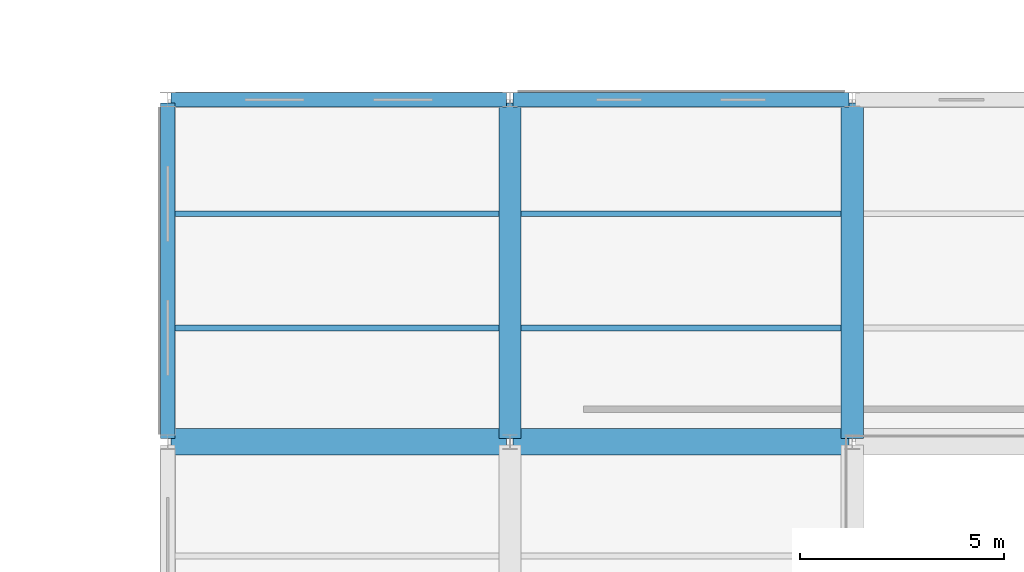
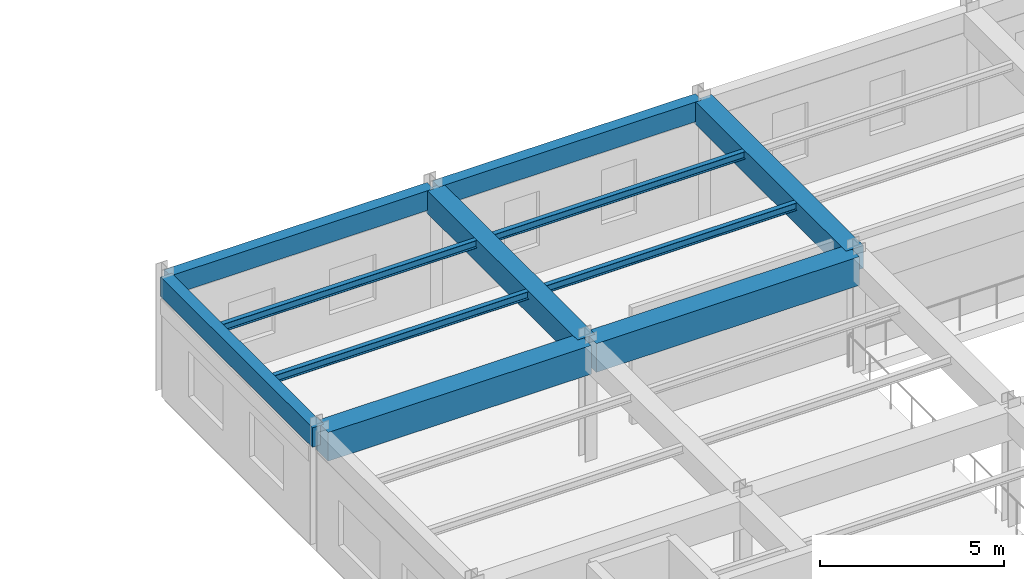
# One storey, part 29 of 138: 11 beams.
"""IFC4 building model written with IfcOpenShell, lengths in metres."""

from ifc_helpers import new_model, si_unit, direction, frame, origin, origin_2d, place, context, subcontext, project, spatial, rectangle, i_section, extrude, material, material_profile, profile_set, type_object, element, save


model = new_model("IFC4")

# Units and contexts
model_context = context("Model", 3, precision=1e-05, world=origin(), true_north=direction((0.0, 1.0)))
body_context = subcontext(model_context, "Body", "Model", "MODEL_VIEW")
ifc_project = project(units=[si_unit("LENGTHUNIT", "METRE"), si_unit("AREAUNIT", "SQUARE_METRE"), si_unit("VOLUMEUNIT", "CUBIC_METRE"), si_unit("PLANEANGLEUNIT", "RADIAN"), si_unit("MASSUNIT", "GRAM", prefix="KILO"), si_unit("THERMODYNAMICTEMPERATUREUNIT", "KELVIN"), si_unit("POWERUNIT", "WATT")], contexts=[model_context])

# Site, building, storey
site_placement = place(None, origin())
site = spatial("IfcSite", under=ifc_project, at=site_placement, CompositionType="ELEMENT")
building_placement = place(site_placement, origin())
building = spatial("IfcBuilding", under=site, at=building_placement, Name="Darbajah Civic Hall", CompositionType="ELEMENT")
storey_placement = place(building_placement, frame((0.0, 0.0, 9.60009765625)))
storey = spatial("IfcBuildingStorey", under=building, at=storey_placement, Name="L02", CompositionType="ELEMENT", Elevation=9.60009765625)

# Beams
ifc_material_1 = material(Name="Concrete C45/55", Category="concrete")
ifc_material_profile_1 = material_profile(ifc_material_1, rectangle(XDim=0.550048828125, YDim=0.75, at=origin_2d()), Name="RC BEAM 550x750")
ifc_profile_set_1 = profile_set([ifc_material_profile_1], Name="Concrete C45/55")
beam_type_1 = type_object("IfcBeamType", Name="RC BEAM 550x750", PredefinedType="BEAM", material=ifc_profile_set_1)
for number, where, z_axis, x_axis, name in (
    (1, (119.39990234375, 33.679931640625, 3.544921875), (0.0, 1.0, 0.0), (-1.0, 0.0, 0.0), "L02 beam BM-5575"),
    (2, (127.800048828125, 33.679931640625, 3.544921875), (0.0, 1.0, 0.0), (-1.0, 0.0, 0.0), "L02 beam BM-5575"),
):
    element("IfcBeam", number, at=place(storey_placement, frame(where, z_axis=z_axis, x_axis=x_axis)), inside=storey, type_object=beam_type_1, Name=name, PredefinedType="BEAM", context=body_context, shape_type="SweptSolid", body=[
        extrude(rectangle(XDim=0.550048828125, YDim=0.75, at=origin_2d()), origin(), (0.0, 0.0, 1.0), 8.239990234375),
    ])
ifc_material_2 = material(Name="Concrete C50/60", Category="concrete")
ifc_material_profile_2 = material_profile(ifc_material_2, rectangle(XDim=0.64990234375, YDim=0.949951171875, at=origin_2d()), Name="RC GIRDER 650x950")
ifc_profile_set_2 = profile_set([ifc_material_profile_2], Name="Concrete C50/60")
beam_type_2 = type_object("IfcBeamType", Name="RC GIRDER 650x950", PredefinedType="BEAM", material=ifc_profile_set_2)
for number, where, z_axis, x_axis, name in (
    (3, (111.080078125, 33.60009765625, 3.44482421875), (1.0, 0.0, 0.0), (0.0, 1.0, 0.0), "L02 beam BG-6595"),
    (4, (119.47998046875, 33.60009765625, 3.44482421875), (1.0, 0.0, 0.0), (0.0, 1.0, 0.0), "L02 beam BG-6595"),
):
    element("IfcBeam", number, at=place(storey_placement, frame(where, z_axis=z_axis, x_axis=x_axis)), inside=storey, type_object=beam_type_2, Name=name, PredefinedType="BEAM", context=body_context, shape_type="SweptSolid", body=[
        extrude(rectangle(XDim=0.64990234375, YDim=0.949951171875, at=origin_2d()), origin(), (0.0, 0.0, 1.0), 8.239990234375),
    ])
ifc_material_profile_3 = material_profile(ifc_material_1, rectangle(XDim=0.35009765625, YDim=0.64990234375, at=origin_2d()), Name="RC SPANDREL 350x650")
ifc_profile_set_3 = profile_set([ifc_material_profile_3], Name="Concrete C45/55")
beam_type_3 = type_object("IfcBeamType", Name="RC SPANDREL 350x650", PredefinedType="SPANDREL", material=ifc_profile_set_3)
for number, where, z_axis, x_axis, name in (
    (5, (111.080078125, 42.0, 3.594970703125), (1.0, 0.0, 0.0), (0.0, 1.0, 0.0), "L02 beam SP-3565"),
    (6, (119.47998046875, 42.0, 3.594970703125), (1.0, 0.0, 0.0), (0.0, 1.0, 0.0), "L02 beam SP-3565"),
    (7, (111.0, 33.679931640625, 3.594970703125), (0.0, 1.0, 0.0), (-1.0, 0.0, 0.0), "L02 beam SP-3565"),
):
    element("IfcBeam", number, at=place(storey_placement, frame(where, z_axis=z_axis, x_axis=x_axis)), inside=storey, type_object=beam_type_3, Name=name, PredefinedType="SPANDREL", context=body_context, shape_type="SweptSolid", body=[
        extrude(rectangle(XDim=0.35009765625, YDim=0.64990234375, at=origin_2d()), origin(), (0.0, 0.0, 1.0), 8.239990234375),
    ])
ifc_material_3 = material(Name="Steel S355JR", Category="steel")
ifc_material_profile_4 = material_profile(ifc_material_3, i_section(OverallWidth=0.146484375, OverallDepth=0.256103515625, WebThickness=0.00634765625, FlangeThickness=0.010986328125, FilletRadius=0.007568359375, at=origin_2d()), Name="UB 254x146x37")
ifc_profile_set_4 = profile_set([ifc_material_profile_4], Name="Steel S355JR")
beam_type_4 = type_object("IfcBeamType", Name="UB 254x146x37", PredefinedType="JOIST", material=ifc_profile_set_4)
for number, where, z_axis, x_axis, name in (
    (8, (111.175048828125, 36.39990234375, 3.7919921875), (1.0, 0.0, 0.0), (0.0, 1.0, 0.0), "L02 beam SJ-254"),
    (9, (111.175048828125, 39.199951171875, 3.7919921875), (1.0, 0.0, 0.0), (0.0, 1.0, 0.0), "L02 beam SJ-254"),
):
    element("IfcBeam", number, at=place(storey_placement, frame(where, z_axis=z_axis, x_axis=x_axis)), inside=storey, type_object=beam_type_4, Name=name, PredefinedType="JOIST", context=body_context, shape_type="SweptSolid", body=[
        extrude(i_section(OverallWidth=0.146484375, OverallDepth=0.256103515625, WebThickness=0.00634765625, FlangeThickness=0.010986328125, FilletRadius=0.007568359375, at=origin_2d()), origin(), (0.0, 0.0, 1.0), 7.949951171875),
    ])
for number, where, z_axis, x_axis, name in (
    (10, (119.675048828125, 36.39990234375, 3.7919921875), (1.0, 0.0, 0.0), (0.0, 1.0, 0.0), "L02 beam SJ-254"),
    (11, (119.675048828125, 39.199951171875, 3.7919921875), (1.0, 0.0, 0.0), (0.0, 1.0, 0.0), "L02 beam SJ-254"),
):
    element("IfcBeam", number, at=place(storey_placement, frame(where, z_axis=z_axis, x_axis=x_axis)), inside=storey, type_object=beam_type_4, Name=name, PredefinedType="JOIST", context=body_context, shape_type="SweptSolid", body=[
        extrude(i_section(OverallWidth=0.146484375, OverallDepth=0.256103515625, WebThickness=0.00634765625, FlangeThickness=0.010986328125, FilletRadius=0.007568359375, at=origin_2d()), origin(), (0.0, 0.0, 1.0), 7.849853515625),
    ])

save(model, "model.ifc")
